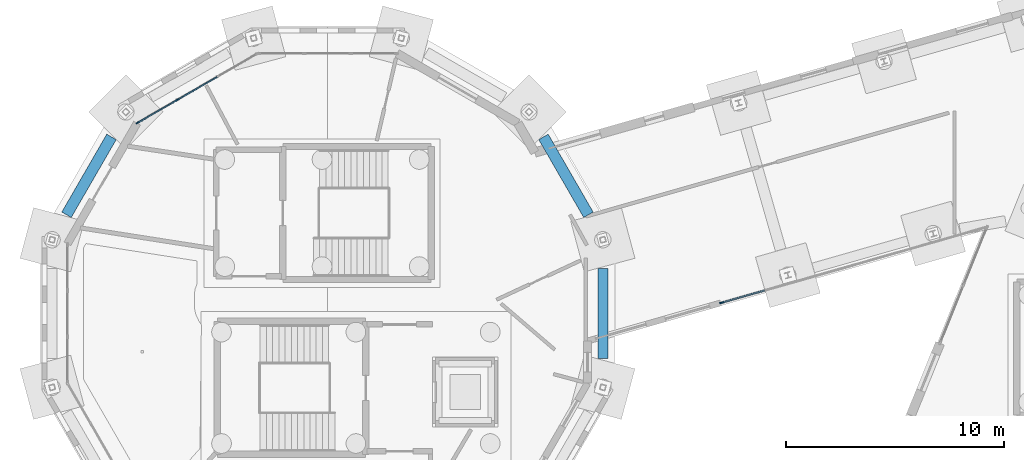
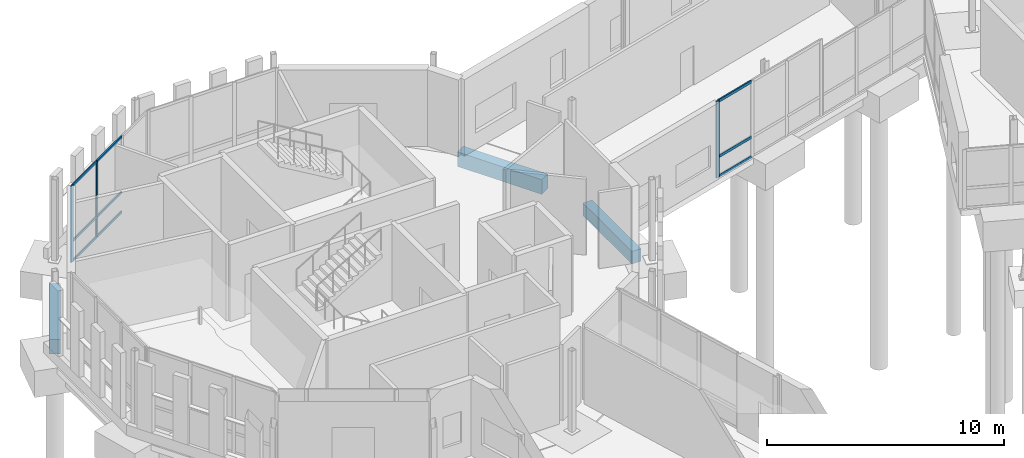
# One storey, part 40 of 113: 12 members, 3 beams, 2 elements without a shape of their own.
"""IFC4 building model written with IfcOpenShell, lengths in metres."""

from ifc_helpers import new_model, si_unit, direction, frame, origin, origin_2d, place, context, subcontext, project, spatial, rectangle, extrude, material, material_profile, profile_set, type_object, element, aggregate, save


model = new_model("IFC4")

# Units and contexts
model_context = context("Model", 3, precision=1e-05, world=origin(), true_north=direction((0.0, 1.0)))
body_context = subcontext(model_context, "Body", "Model", "MODEL_VIEW")
ifc_project = project(units=[si_unit("LENGTHUNIT", "METRE"), si_unit("AREAUNIT", "SQUARE_METRE"), si_unit("VOLUMEUNIT", "CUBIC_METRE"), si_unit("PLANEANGLEUNIT", "RADIAN"), si_unit("MASSUNIT", "GRAM", prefix="KILO")], contexts=[model_context])

# Site, building, storey
site_placement = place(None, origin())
site = spatial("IfcSite", under=ifc_project, at=site_placement, CompositionType="ELEMENT")
building_placement = place(site_placement, origin())
building = spatial("IfcBuilding", under=site, at=building_placement, Name="Wrenclough Park School", CompositionType="ELEMENT")
storey_placement = place(building_placement, origin())
storey = spatial("IfcBuildingStorey", under=building, at=storey_placement, Name="L00", CompositionType="ELEMENT", Elevation=0.0)

# Curtain wall, members
ifc_material_1 = material(Name="Thermally broken aluminium and low-e glass curtain wall", Category="aluminium")
curtain_wall_type_1 = type_object("IfcCurtainWallType", Name="ENV-CW-10", PredefinedType="USERDEFINED", material=ifc_material_1)
curtain_wall_1_placement = place(storey_placement, origin())
curtain_wall_1 = element("IfcCurtainWall", 1, at=curtain_wall_1_placement, inside=storey, type_object=curtain_wall_type_1, Name="L00 recessed curtain wall assembly 009", ObjectType="CURTAIN WALL", PredefinedType="USERDEFINED")
ifc_material_2 = material(Name="Thermally broken anodised aluminium", Category="aluminium")
ifc_material_profile_1 = material_profile(ifc_material_2, rectangle(XDim=0.06005859375, YDim=0.159912109375, at=origin_2d()), Name="AL MULLION 60x160")
ifc_profile_set_1 = profile_set([ifc_material_profile_1], Name="Thermally broken anodised aluminium")
member_type_1 = type_object("IfcMemberType", Name="ENV-CWM-1", PredefinedType="MULLION", material=ifc_profile_set_1)
member_1_placement = place(storey_placement, frame((7.813720703125, 98.232666015625, 0.0), z_axis=(0.0, 0.0, 1.0), x_axis=(-0.499999121909, 0.86602591075, 0.0)))
member_1 = element("IfcMember", 2, at=member_1_placement, type_object=member_type_1, Name="CW-10 mullion 1", PredefinedType="MULLION", context=body_context, shape_type="SweptSolid", body=[
    extrude(rectangle(XDim=0.06005859375, YDim=0.159912109375, at=origin_2d()), origin(), (0.0, 0.0, 1.0), 3.93994140625),
])
member_2_placement = place(storey_placement, frame((9.627197265625, 99.27978515625, 0.0), z_axis=(0.0, 0.0, 1.0), x_axis=(-0.499999121909, 0.86602591075, 0.0)))
member_2 = element("IfcMember", 3, at=member_2_placement, type_object=member_type_1, Name="CW-10 mullion 2", PredefinedType="MULLION", context=body_context, shape_type="SweptSolid", body=[
    extrude(rectangle(XDim=0.06005859375, YDim=0.159912109375, at=origin_2d()), origin(), (0.0, 0.0, 1.0), 3.93994140625),
])

# Curtain wall, member
curtain_wall_type_2 = type_object("IfcCurtainWallType", Name="ENV-CW-16", PredefinedType="USERDEFINED", material=ifc_material_1)
curtain_wall_2_placement = place(storey_placement, origin())
curtain_wall_2 = element("IfcCurtainWall", 4, at=curtain_wall_2_placement, inside=storey, type_object=curtain_wall_type_2, Name="L00 recessed curtain wall assembly 079", ObjectType="CURTAIN WALL", PredefinedType="USERDEFINED")
ifc_material_profile_2 = material_profile(ifc_material_2, rectangle(XDim=0.06494140625, YDim=0.179931640625, at=origin_2d()), Name="AL MULLION 65x180")
ifc_profile_set_2 = profile_set([ifc_material_profile_2], Name="Thermally broken anodised aluminium")
member_type_2 = type_object("IfcMemberType", Name="ENV-CWM-2", PredefinedType="MULLION", material=ifc_profile_set_2)
member_3_placement = place(storey_placement, frame((34.53564453125, 89.99365234375, 0.0), z_axis=(0.0, 0.0, 1.0), x_axis=(0.274721127899, -0.96152394764, 0.0)))
member_3 = element("IfcMember", 5, at=member_3_placement, type_object=member_type_2, Name="CW-16 mullion 4", PredefinedType="MULLION", context=body_context, shape_type="SweptSolid", body=[
    extrude(rectangle(XDim=0.06494140625, YDim=0.179931640625, at=origin_2d()), origin(), (0.0, 0.0, 1.0), 3.93994140625),
])

# Member
ifc_material_profile_3 = material_profile(ifc_material_2, rectangle(XDim=0.06005859375, YDim=0.1201171875, at=origin_2d()), Name="AL TRANSOM 60x120")
ifc_profile_set_3 = profile_set([ifc_material_profile_3], Name="Thermally broken anodised aluminium")
member_type_3 = type_object("IfcMemberType", Name="ENV-CWT-1", PredefinedType="USERDEFINED", material=ifc_profile_set_3)
member_4_placement = place(storey_placement, frame((7.83984375, 98.247802734375, 0.030029296875), z_axis=(0.866055662726, 0.499947586314, 0.0), x_axis=(-0.499947586314, 0.866055662726, 0.0)))
member_4 = element("IfcMember", 6, at=member_4_placement, type_object=member_type_3, Name="CW-10 transom 1.1", ObjectType="TRANSOM", PredefinedType="USERDEFINED", context=body_context, shape_type="SweptSolid", body=[
    extrude(rectangle(XDim=0.06005859375, YDim=0.1201171875, at=origin_2d()), origin(), (0.0, 0.0, 1.0), 2.033935546875),
])

member_5_placement = place(storey_placement, frame((7.83984375, 98.247802734375, 1.050048828125), z_axis=(0.866055662726, 0.499947586314, 0.0), x_axis=(-0.499947586314, 0.866055662726, 0.0)))
member_5 = element("IfcMember", 7, at=member_5_placement, type_object=member_type_3, Name="CW-10 transom 1.2", ObjectType="TRANSOM", PredefinedType="USERDEFINED", context=body_context, shape_type="SweptSolid", body=[
    extrude(rectangle(XDim=0.06005859375, YDim=0.1201171875, at=origin_2d()), origin(), (0.0, 0.0, 1.0), 2.033935546875),
])

member_6_placement = place(storey_placement, frame((7.83984375, 98.247802734375, 3.909912109375), z_axis=(0.866055662726, 0.499947586314, 0.0), x_axis=(-0.499947586314, 0.866055662726, 0.0)))
member_6 = element("IfcMember", 8, at=member_6_placement, type_object=member_type_3, Name="CW-10 transom 1.3", ObjectType="TRANSOM", PredefinedType="USERDEFINED", context=body_context, shape_type="SweptSolid", body=[
    extrude(rectangle(XDim=0.06005859375, YDim=0.1201171875, at=origin_2d()), origin(), (0.0, 0.0, 1.0), 2.033935546875),
])

member_7_placement = place(storey_placement, frame((9.6533203125, 99.294677734375, 0.030029296875), z_axis=(0.86604377311, 0.499968182045, 0.0), x_axis=(-0.499968182045, 0.86604377311, 0.0)))
member_7 = element("IfcMember", 9, at=member_7_placement, type_object=member_type_3, Name="CW-10 transom 2.1", ObjectType="TRANSOM", PredefinedType="USERDEFINED", context=body_context, shape_type="SweptSolid", body=[
    extrude(rectangle(XDim=0.06005859375, YDim=0.1201171875, at=origin_2d()), origin(), (0.0, 0.0, 1.0), 2.064208984375),
])

member_8_placement = place(storey_placement, frame((9.6533203125, 99.294677734375, 1.050048828125), z_axis=(0.86604377311, 0.499968182045, 0.0), x_axis=(-0.499968182045, 0.86604377311, 0.0)))
member_8 = element("IfcMember", 10, at=member_8_placement, type_object=member_type_3, Name="CW-10 transom 2.2", ObjectType="TRANSOM", PredefinedType="USERDEFINED", context=body_context, shape_type="SweptSolid", body=[
    extrude(rectangle(XDim=0.06005859375, YDim=0.1201171875, at=origin_2d()), origin(), (0.0, 0.0, 1.0), 2.064208984375),
])

member_9_placement = place(storey_placement, frame((9.6533203125, 99.294677734375, 3.909912109375), z_axis=(0.86604377311, 0.499968182045, 0.0), x_axis=(-0.499968182045, 0.86604377311, 0.0)))
member_9 = element("IfcMember", 11, at=member_9_placement, type_object=member_type_3, Name="CW-10 transom 2.3", ObjectType="TRANSOM", PredefinedType="USERDEFINED", context=body_context, shape_type="SweptSolid", body=[
    extrude(rectangle(XDim=0.06005859375, YDim=0.1201171875, at=origin_2d()), origin(), (0.0, 0.0, 1.0), 2.064208984375),
])

aggregate(curtain_wall_1, [member_1, member_2, member_4, member_5, member_6, member_7, member_8, member_9])

ifc_material_profile_4 = material_profile(ifc_material_2, rectangle(XDim=0.06494140625, YDim=0.139892578125, at=origin_2d()), Name="AL TRANSOM 65x140")
ifc_profile_set_4 = profile_set([ifc_material_profile_4], Name="Thermally broken anodised aluminium")
member_type_4 = type_object("IfcMemberType", Name="ENV-CWT-2", PredefinedType="USERDEFINED", material=ifc_profile_set_4)
member_10_placement = place(storey_placement, frame((36.502197265625, 90.5556640625, 0.032470703125), z_axis=(-0.961519370271, -0.274737148185, 0.0), x_axis=(0.274737148185, -0.961519370271, 0.0)))
member_10 = element("IfcMember", 12, at=member_10_placement, type_object=member_type_4, Name="CW-16 transom 3.1", ObjectType="TRANSOM", PredefinedType="USERDEFINED", context=body_context, shape_type="SweptSolid", body=[
    extrude(rectangle(XDim=0.06494140625, YDim=0.139892578125, at=origin_2d()), origin(), (0.0, 0.0, 1.0), 2.0126953125),
])

member_11_placement = place(storey_placement, frame((36.502197265625, 90.5556640625, 1.050048828125), z_axis=(-0.961519370271, -0.274737148185, 0.0), x_axis=(0.274737148185, -0.961519370271, 0.0)))
member_11 = element("IfcMember", 13, at=member_11_placement, type_object=member_type_4, Name="CW-16 transom 3.2", ObjectType="TRANSOM", PredefinedType="USERDEFINED", context=body_context, shape_type="SweptSolid", body=[
    extrude(rectangle(XDim=0.06494140625, YDim=0.139892578125, at=origin_2d()), origin(), (0.0, 0.0, 1.0), 2.0126953125),
])

member_12_placement = place(storey_placement, frame((36.502197265625, 90.5556640625, 3.907470703125), z_axis=(-0.961519370271, -0.274737148185, 0.0), x_axis=(0.274737148185, -0.961519370271, 0.0)))
member_12 = element("IfcMember", 14, at=member_12_placement, type_object=member_type_4, Name="CW-16 transom 3.3", ObjectType="TRANSOM", PredefinedType="USERDEFINED", context=body_context, shape_type="SweptSolid", body=[
    extrude(rectangle(XDim=0.06494140625, YDim=0.139892578125, at=origin_2d()), origin(), (0.0, 0.0, 1.0), 2.0126953125),
])

aggregate(curtain_wall_2, [member_3, member_10, member_11, member_12])

# Beams
ifc_material_3 = material(Name="Concrete C35/45", Category="concrete")
ifc_material_profile_5 = material_profile(ifc_material_3, rectangle(XDim=0.449951171875, YDim=0.64990234375, at=origin_2d()), Name="RC GROUND 450x650")
ifc_profile_set_5 = profile_set([ifc_material_profile_5], Name="Concrete C35/45")
beam_type_1 = type_object("IfcBeamType", Name="STR-BM-GTB1", PredefinedType="USERDEFINED", material=ifc_profile_set_5)
beam_placement = place(storey_placement, frame((29.105224609375, 91.56689453125, -0.625), z_axis=(0.0, -1.0, 0.0), x_axis=(1.0, 0.0, 0.0)))
element("IfcBeam", 15, at=beam_placement, inside=storey, type_object=beam_type_1, Name="Reinforced concrete ground tie beam 065", ObjectType="GROUND TIE BEAM", PredefinedType="USERDEFINED", context=body_context, shape_type="SweptSolid", body=[
    extrude(rectangle(XDim=0.449951171875, YDim=0.64990234375, at=origin_2d()), origin(), (0.0, 0.0, 1.0), 4.1337890625),
])
ifc_material_profile_6 = material_profile(ifc_material_3, rectangle(XDim=0.5, YDim=0.75, at=origin_2d()), Name="RC GROUND 500x750")
ifc_profile_set_6 = profile_set([ifc_material_profile_6], Name="Concrete C35/45")
beam_type_2 = type_object("IfcBeamType", Name="STR-BM-GTB2", PredefinedType="USERDEFINED", material=ifc_profile_set_6)
for number, where, z_axis, x_axis, name in (
    (16, (28.446044921875, 94.01953125, -0.675048828125), (-0.500028662945, 0.866008854593, 0.0), (-0.866008854593, -0.500028662945, 0.0), "Reinforced concrete ground tie beam 064"),
    (17, (6.613037109375, 97.585693359375, -0.675048828125), (-0.500028662945, -0.866008854593, 0.0), (0.866008854593, -0.500028662945, 0.0), "Reinforced concrete ground tie beam 068"),
):
    element("IfcBeam", number, at=place(storey_placement, frame(where, z_axis=z_axis, x_axis=x_axis)), inside=storey, type_object=beam_type_2, Name=name, ObjectType="GROUND TIE BEAM", PredefinedType="USERDEFINED", context=body_context, shape_type="SweptSolid", body=[
        extrude(rectangle(XDim=0.5, YDim=0.75, at=origin_2d()), origin(), (0.0, 0.0, 1.0), 4.117919921875),
    ])

save(model, "model.ifc")
